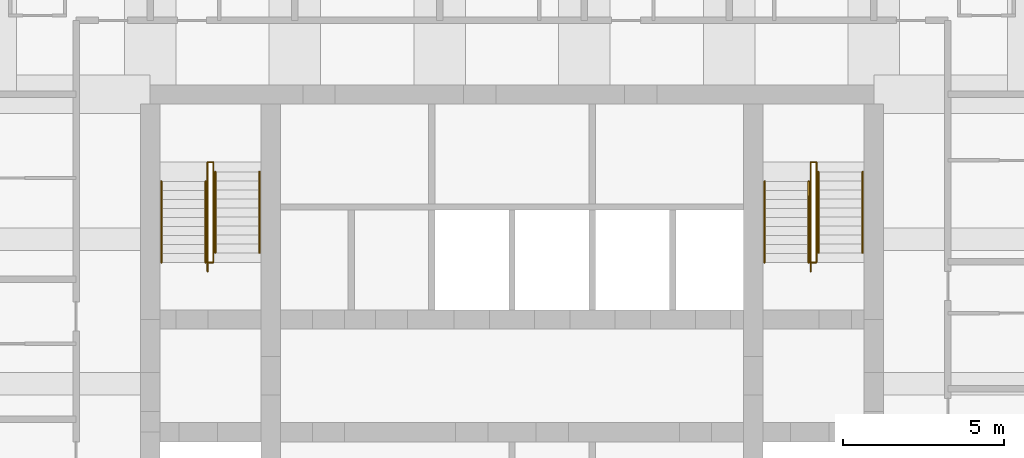
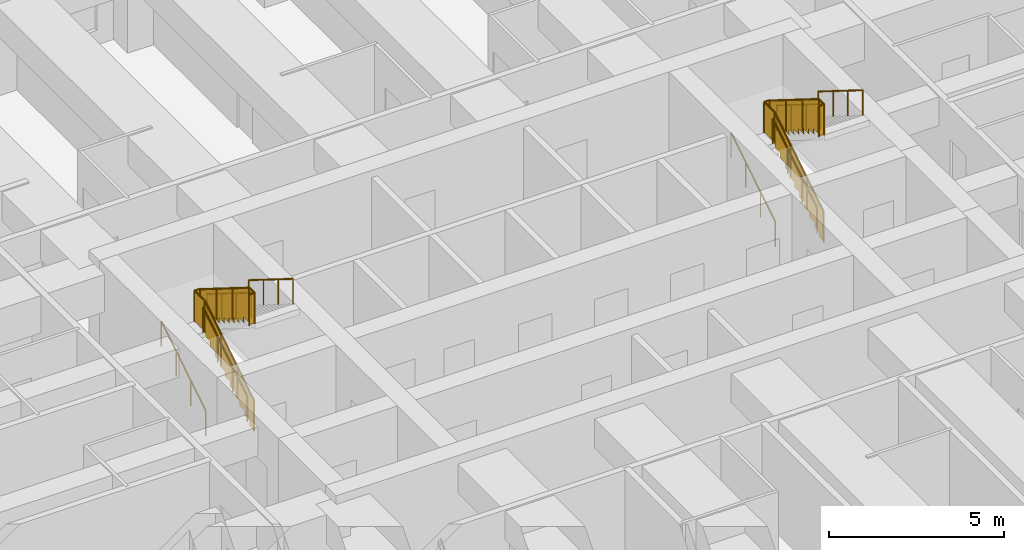
# One storey, part 8 of 8: 12 railings.
"""IFC4 building model written with IfcOpenShell, lengths in metres."""

from ifc_helpers import new_model, si_unit, direction, frame, origin, origin_2d, place, context, subcontext, project, spatial, polyline, circle, outline, extrude, material, type_object, element, save


model = new_model("IFC4")

# Units and contexts
model_context = context("Model", 3, precision=1e-05, world=origin(), true_north=direction((0.0, 1.0)))
body_context = subcontext(model_context, "Body", "Model", "MODEL_VIEW")
ifc_project = project(units=[si_unit("LENGTHUNIT", "METRE"), si_unit("AREAUNIT", "SQUARE_METRE"), si_unit("VOLUMEUNIT", "CUBIC_METRE"), si_unit("PLANEANGLEUNIT", "RADIAN"), si_unit("MASSUNIT", "GRAM", prefix="KILO")], contexts=[model_context])

# Site, building, storey
site_placement = place(None, origin())
site = spatial("IfcSite", under=ifc_project, at=site_placement, CompositionType="ELEMENT")
building_placement = place(site_placement, origin())
building = spatial("IfcBuilding", under=site, at=building_placement, Name="Kilele Tower Hotel", CompositionType="ELEMENT")
storey_placement = place(building_placement, frame((0.0, 0.0, 207.89990234375)))
storey = spatial("IfcBuildingStorey", under=building, at=storey_placement, Name="L54", CompositionType="ELEMENT", Elevation=207.89990234375)

# Railings
ifc_material_1 = material(Name="Steel handrail", Category="steel")
railing_type_1 = type_object("IfcRailingType", Name="Handrail 900", PredefinedType="HANDRAIL", material=ifc_material_1)
for number, where, name in (
    (1, (13.85009765625, 21.77490234375, 0.175048828125), "Handrail ST1 flight 1"),
    (2, (15.22509765625, 21.77490234375, 0.175048828125), "Handrail ST1 flight 1"),
):
    element("IfcRailing", number, at=place(storey_placement, frame(where)), inside=storey, type_object=railing_type_1, Name=name, PredefinedType="HANDRAIL", context=body_context, shape_type="SweptSolid", body=[
        extrude(circle(Radius=0.02490234375, at=origin_2d()), frame((0.0, 0.0, 0.875), z_axis=(0.0, 0.848007534815, 0.529984170421), x_axis=(-1.0, 0.0, 0.0)), (0.0, 0.0, 1.0), 2.9716796875),
        extrude(circle(Radius=0.02001953125, at=origin_2d()), origin(), (0.0, 0.0, 1.0), 0.849853515625),
        extrude(circle(Radius=0.02001953125, at=origin_2d()), frame((0.0, 0.840087890625, 0.52490234375)), (0.0, 0.0, 1.0), 0.849853515625),
        extrude(circle(Radius=0.02001953125, at=origin_2d()), frame((0.0, 1.679931640625, 1.050048828125)), (0.0, 0.0, 1.0), 0.849853515625),
        extrude(circle(Radius=0.02001953125, at=origin_2d()), frame((0.0, 2.52001953125, 1.574951171875)), (0.0, 0.0, 1.0), 0.849853515625),
    ])
for number, where, name in (
    (3, (15.52490234375, 24.594970703125, 1.925048828125), "Handrail ST1 flight 2"),
    (4, (16.89990234375, 24.594970703125, 1.925048828125), "Handrail ST1 flight 2"),
):
    element("IfcRailing", number, at=place(storey_placement, frame(where)), inside=storey, type_object=railing_type_1, Name=name, PredefinedType="HANDRAIL", context=body_context, shape_type="SweptSolid", body=[
        extrude(circle(Radius=0.02490234375, at=origin_2d()), frame((0.0, 0.0, 0.875), z_axis=(0.0, -0.848007534815, 0.529984170421), x_axis=(1.0, 0.0, 0.0)), (0.0, 0.0, 1.0), 2.9716796875),
        extrude(circle(Radius=0.02001953125, at=origin_2d()), origin(), (0.0, 0.0, 1.0), 0.849853515625),
        extrude(circle(Radius=0.02001953125, at=origin_2d()), frame((0.0, -0.840087890625, 0.52490234375)), (0.0, 0.0, 1.0), 0.849853515625),
        extrude(circle(Radius=0.02001953125, at=origin_2d()), frame((0.0, -1.679931640625, 1.050048828125)), (0.0, 0.0, 1.0), 0.849853515625),
        extrude(circle(Radius=0.02001953125, at=origin_2d()), frame((0.0, -2.52001953125, 1.574951171875)), (0.0, 0.0, 1.0), 0.849853515625),
    ])
for number, where, name in (
    (5, (32.60009765625, 21.77490234375, 0.175048828125), "Handrail ST2 flight 1"),
    (6, (33.97509765625, 21.77490234375, 0.175048828125), "Handrail ST2 flight 1"),
):
    element("IfcRailing", number, at=place(storey_placement, frame(where)), inside=storey, type_object=railing_type_1, Name=name, PredefinedType="HANDRAIL", context=body_context, shape_type="SweptSolid", body=[
        extrude(circle(Radius=0.02490234375, at=origin_2d()), frame((0.0, 0.0, 0.875), z_axis=(0.0, 0.848007534815, 0.529984170421), x_axis=(-1.0, 0.0, 0.0)), (0.0, 0.0, 1.0), 2.9716796875),
        extrude(circle(Radius=0.02001953125, at=origin_2d()), origin(), (0.0, 0.0, 1.0), 0.849853515625),
        extrude(circle(Radius=0.02001953125, at=origin_2d()), frame((0.0, 0.840087890625, 0.52490234375)), (0.0, 0.0, 1.0), 0.849853515625),
        extrude(circle(Radius=0.02001953125, at=origin_2d()), frame((0.0, 1.679931640625, 1.050048828125)), (0.0, 0.0, 1.0), 0.849853515625),
        extrude(circle(Radius=0.02001953125, at=origin_2d()), frame((0.0, 2.52001953125, 1.574951171875)), (0.0, 0.0, 1.0), 0.849853515625),
    ])
for number, where, name in (
    (7, (34.27490234375, 24.594970703125, 1.925048828125), "Handrail ST2 flight 2"),
    (8, (35.64990234375, 24.594970703125, 1.925048828125), "Handrail ST2 flight 2"),
):
    element("IfcRailing", number, at=place(storey_placement, frame(where)), inside=storey, type_object=railing_type_1, Name=name, PredefinedType="HANDRAIL", context=body_context, shape_type="SweptSolid", body=[
        extrude(circle(Radius=0.02490234375, at=origin_2d()), frame((0.0, 0.0, 0.875), z_axis=(0.0, -0.848007534815, 0.529984170421), x_axis=(1.0, 0.0, 0.0)), (0.0, 0.0, 1.0), 2.9716796875),
        extrude(circle(Radius=0.02001953125, at=origin_2d()), origin(), (0.0, 0.0, 1.0), 0.849853515625),
        extrude(circle(Radius=0.02001953125, at=origin_2d()), frame((0.0, -0.840087890625, 0.52490234375)), (0.0, 0.0, 1.0), 0.849853515625),
        extrude(circle(Radius=0.02001953125, at=origin_2d()), frame((0.0, -1.679931640625, 1.050048828125)), (0.0, 0.0, 1.0), 0.849853515625),
        extrude(circle(Radius=0.02001953125, at=origin_2d()), frame((0.0, -2.52001953125, 1.574951171875)), (0.0, 0.0, 1.0), 0.849853515625),
    ])
ifc_material_2 = material(Name="Steel guard", Category="steel")
railing_type_2 = type_object("IfcRailingType", Name="Stair guard 1100", PredefinedType="GUARDRAIL", material=ifc_material_2)
railing_1_placement = place(storey_placement, frame((15.284912109375, 21.4951171875, 0.0)))
element("IfcRailing", 9, at=railing_1_placement, inside=storey, type_object=railing_type_2, Name="Stair well guard ST1 flight 1", PredefinedType="GUARDRAIL", context=body_context, shape_type="SweptSolid", body=[
    extrude(circle(Radius=0.02490234375, at=origin_2d()), frame((0.0, 0.0, 1.0751953125), z_axis=(0.0, 0.847981687118, 0.530025526095), x_axis=(-1.0, 0.0, 0.0)), (0.0, 0.0, 1.0), 3.3017578125),
    extrude(circle(Radius=0.02490234375, at=origin_2d()), frame((0.0, 2.7998046875, 2.8251953125), z_axis=(0.0, 1.0, 0.0), x_axis=(-1.0, 0.0, 0.0)), (0.0, 0.0, 1.0), 0.60009765625),
    extrude(circle(Radius=0.02490234375, at=origin_2d()), frame((0.0, 3.39990234375, 2.8251953125), z_axis=(1.0, 0.0, 0.0), x_axis=(0.0, 1.0, 0.0)), (0.0, 0.0, 1.0), 0.18017578125),
    extrude(circle(Radius=0.02490234375, at=origin_2d()), origin(), (0.0, 0.0, 1.0), 1.050048828125),
    extrude(circle(Radius=0.02490234375, at=origin_2d()), frame((0.0, 0.933349609375, 0.583251953125)), (0.0, 0.0, 1.0), 1.050048828125),
    extrude(circle(Radius=0.02490234375, at=origin_2d()), frame((0.0, 1.866455078125, 1.166748046875)), (0.0, 0.0, 1.0), 1.050048828125),
    extrude(circle(Radius=0.02490234375, at=origin_2d()), frame((0.0, 2.7998046875, 1.75)), (0.0, 0.0, 1.0), 1.050048828125),
    extrude(circle(Radius=0.02490234375, at=origin_2d()), frame((0.0, 3.39990234375, 1.75)), (0.0, 0.0, 1.0), 1.050048828125),
    extrude(circle(Radius=0.02490234375, at=origin_2d()), frame((0.18017578125, 3.39990234375, 1.75)), (0.0, 0.0, 1.0), 1.050048828125),
    extrude(outline(polyline([(0.012451171875, 0.030029296875), (0.25, 0.030029296875), (0.25, 0.205078125), (0.530029296875, 0.205078125), (0.530029296875, 0.380126953125), (0.809814453125, 0.380126953125), (0.809814453125, 0.554931640625), (1.08984375, 0.554931640625), (1.08984375, 0.72998046875), (1.369873046875, 0.72998046875), (1.369873046875, 0.905029296875), (1.64990234375, 0.905029296875), (1.64990234375, 1.080078125), (1.929931640625, 1.080078125), (1.929931640625, 1.255126953125), (2.209716796875, 1.255126953125), (2.209716796875, 1.429931640625), (2.48974609375, 1.429931640625), (2.48974609375, 1.60498046875), (2.769775390625, 1.60498046875), (2.769775390625, 1.780029296875), (2.787353515625, 1.780029296875), (2.787353515625, 2.787841796875), (0.012451171875, 1.053466796875), (0.012451171875, 0.030029296875)])), frame((-0.005859375, 0.0, 0.0), z_axis=(1.0, 0.0, 0.0), x_axis=(0.0, 1.0, 0.0)), (0.0, 0.0, 1.0), 0.011962890625),
    extrude(outline(polyline([(0.012451171875, 0.030029296875), (0.587646484375, 0.030029296875), (0.587646484375, 1.050048828125), (0.012451171875, 1.050048828125), (0.012451171875, 0.030029296875)])), frame((-0.005859375, 2.7998046875, 1.75), z_axis=(1.0, 0.0, 0.0), x_axis=(0.0, 1.0, 0.0)), (0.0, 0.0, 1.0), 0.011962890625),
    extrude(outline(polyline([(0.012451171875, 0.030029296875), (0.18017578125, 0.030029296875), (0.18017578125, 1.050048828125), (0.012451171875, 1.050048828125), (0.012451171875, 0.030029296875)])), frame((0.0, 3.40576171875, 1.75), z_axis=(0.0, -1.0, 0.0), x_axis=(1.0, 0.0, 0.0)), (0.0, 0.0, 1.0), 0.011962890625),
])
railing_2_placement = place(storey_placement, frame((15.465087890625, 24.89501953125, 1.75)))
element("IfcRailing", 10, at=railing_2_placement, inside=storey, type_object=railing_type_2, Name="Stair well guard ST1 flight 2", PredefinedType="GUARDRAIL", context=body_context, shape_type="SweptSolid", body=[
    extrude(circle(Radius=0.02490234375, at=origin_2d()), frame((0.0, 0.0, 1.0751953125), z_axis=(0.0, -1.0, 0.0), x_axis=(1.0, 0.0, 0.0)), (0.0, 0.0, 1.0), 0.02001953125),
    extrude(circle(Radius=0.02490234375, at=origin_2d()), frame((0.0, -0.02001953125, 1.0751953125), z_axis=(0.0, -0.848002457836, 0.529992293815), x_axis=(1.0, 0.0, 0.0)), (0.0, 0.0, 1.0), 3.302001953125),
    extrude(circle(Radius=0.02490234375, at=origin_2d()), frame((0.0, -2.820068359375, 2.8251953125), z_axis=(0.0, -1.0, 0.0), x_axis=(1.0, 0.0, 0.0)), (0.0, 0.0, 1.0), 0.300048828125),
    extrude(circle(Radius=0.02490234375, at=origin_2d()), frame((0.0, -3.1201171875, 2.8251953125), z_axis=(-1.0, 0.0, 0.0), x_axis=(0.0, -1.0, 0.0)), (0.0, 0.0, 1.0), 0.18017578125),
    extrude(circle(Radius=0.02490234375, at=origin_2d()), origin(), (0.0, 0.0, 1.0), 1.050048828125),
    extrude(circle(Radius=0.02490234375, at=origin_2d()), frame((0.0, -0.02001953125, 0.0)), (0.0, 0.0, 1.0), 1.050048828125),
    extrude(circle(Radius=0.02490234375, at=origin_2d()), frame((0.0, -0.953369140625, 0.583251953125)), (0.0, 0.0, 1.0), 1.050048828125),
    extrude(circle(Radius=0.02490234375, at=origin_2d()), frame((0.0, -1.88671875, 1.166748046875)), (0.0, 0.0, 1.0), 1.050048828125),
    extrude(circle(Radius=0.02490234375, at=origin_2d()), frame((0.0, -2.820068359375, 1.75)), (0.0, 0.0, 1.0), 1.050048828125),
    extrude(circle(Radius=0.02490234375, at=origin_2d()), frame((0.0, -3.1201171875, 1.75)), (0.0, 0.0, 1.0), 1.050048828125),
    extrude(circle(Radius=0.02490234375, at=origin_2d()), frame((-0.18017578125, -3.1201171875, 1.75)), (0.0, 0.0, 1.0), 1.050048828125),
    extrude(outline(polyline([(0.012451171875, 0.030029296875), (0.25, 0.030029296875), (0.25, 0.205078125), (0.530029296875, 0.205078125), (0.530029296875, 0.380126953125), (0.81005859375, 0.380126953125), (0.81005859375, 0.554931640625), (1.090087890625, 0.554931640625), (1.090087890625, 0.72998046875), (1.3701171875, 0.72998046875), (1.3701171875, 0.905029296875), (1.64990234375, 0.905029296875), (1.64990234375, 1.080078125), (1.929931640625, 1.080078125), (1.929931640625, 1.255126953125), (2.2099609375, 1.255126953125), (2.2099609375, 1.429931640625), (2.489990234375, 1.429931640625), (2.489990234375, 1.60498046875), (2.77001953125, 1.60498046875), (2.77001953125, 1.780029296875), (2.78759765625, 1.780029296875), (2.78759765625, 2.787841796875), (0.012451171875, 1.053466796875), (0.012451171875, 0.030029296875)])), frame((0.005859375, -0.02001953125, 0.0), z_axis=(-1.0, 0.0, 0.0), x_axis=(0.0, -1.0, 0.0)), (0.0, 0.0, 1.0), 0.011962890625),
    extrude(outline(polyline([(0.012451171875, 0.030029296875), (0.28759765625, 0.030029296875), (0.28759765625, 1.050048828125), (0.012451171875, 1.050048828125), (0.012451171875, 0.030029296875)])), frame((0.005859375, -2.820068359375, 1.75), z_axis=(-1.0, 0.0, 0.0), x_axis=(0.0, -1.0, 0.0)), (0.0, 0.0, 1.0), 0.011962890625),
    extrude(outline(polyline([(0.012451171875, 0.030029296875), (0.18017578125, 0.030029296875), (0.18017578125, 1.050048828125), (0.012451171875, 1.050048828125), (0.012451171875, 0.030029296875)])), frame((0.0, -3.1259765625, 1.75), z_axis=(0.0, 1.0, 0.0), x_axis=(-1.0, 0.0, 0.0)), (0.0, 0.0, 1.0), 0.011962890625),
])
railing_3_placement = place(storey_placement, frame((34.034912109375, 21.4951171875, 0.0)))
element("IfcRailing", 11, at=railing_3_placement, inside=storey, type_object=railing_type_2, Name="Stair well guard ST2 flight 1", PredefinedType="GUARDRAIL", context=body_context, shape_type="SweptSolid", body=[
    extrude(circle(Radius=0.02490234375, at=origin_2d()), frame((0.0, 0.0, 1.0751953125), z_axis=(0.0, 0.847981687118, 0.530025526095), x_axis=(-1.0, 0.0, 0.0)), (0.0, 0.0, 1.0), 3.3017578125),
    extrude(circle(Radius=0.02490234375, at=origin_2d()), frame((0.0, 2.7998046875, 2.8251953125), z_axis=(0.0, 1.0, 0.0), x_axis=(-1.0, 0.0, 0.0)), (0.0, 0.0, 1.0), 0.60009765625),
    extrude(circle(Radius=0.02490234375, at=origin_2d()), frame((0.0, 3.39990234375, 2.8251953125), z_axis=(1.0, 0.0, 0.0), x_axis=(0.0, 1.0, 0.0)), (0.0, 0.0, 1.0), 0.18017578125),
    extrude(circle(Radius=0.02490234375, at=origin_2d()), origin(), (0.0, 0.0, 1.0), 1.050048828125),
    extrude(circle(Radius=0.02490234375, at=origin_2d()), frame((0.0, 0.933349609375, 0.583251953125)), (0.0, 0.0, 1.0), 1.050048828125),
    extrude(circle(Radius=0.02490234375, at=origin_2d()), frame((0.0, 1.866455078125, 1.166748046875)), (0.0, 0.0, 1.0), 1.050048828125),
    extrude(circle(Radius=0.02490234375, at=origin_2d()), frame((0.0, 2.7998046875, 1.75)), (0.0, 0.0, 1.0), 1.050048828125),
    extrude(circle(Radius=0.02490234375, at=origin_2d()), frame((0.0, 3.39990234375, 1.75)), (0.0, 0.0, 1.0), 1.050048828125),
    extrude(circle(Radius=0.02490234375, at=origin_2d()), frame((0.18017578125, 3.39990234375, 1.75)), (0.0, 0.0, 1.0), 1.050048828125),
    extrude(outline(polyline([(0.012451171875, 0.030029296875), (0.25, 0.030029296875), (0.25, 0.205078125), (0.530029296875, 0.205078125), (0.530029296875, 0.380126953125), (0.809814453125, 0.380126953125), (0.809814453125, 0.554931640625), (1.08984375, 0.554931640625), (1.08984375, 0.72998046875), (1.369873046875, 0.72998046875), (1.369873046875, 0.905029296875), (1.64990234375, 0.905029296875), (1.64990234375, 1.080078125), (1.929931640625, 1.080078125), (1.929931640625, 1.255126953125), (2.209716796875, 1.255126953125), (2.209716796875, 1.429931640625), (2.48974609375, 1.429931640625), (2.48974609375, 1.60498046875), (2.769775390625, 1.60498046875), (2.769775390625, 1.780029296875), (2.787353515625, 1.780029296875), (2.787353515625, 2.787841796875), (0.012451171875, 1.053466796875), (0.012451171875, 0.030029296875)])), frame((-0.005859375, 0.0, 0.0), z_axis=(1.0, 0.0, 0.0), x_axis=(0.0, 1.0, 0.0)), (0.0, 0.0, 1.0), 0.011962890625),
    extrude(outline(polyline([(0.012451171875, 0.030029296875), (0.587646484375, 0.030029296875), (0.587646484375, 1.050048828125), (0.012451171875, 1.050048828125), (0.012451171875, 0.030029296875)])), frame((-0.005859375, 2.7998046875, 1.75), z_axis=(1.0, 0.0, 0.0), x_axis=(0.0, 1.0, 0.0)), (0.0, 0.0, 1.0), 0.011962890625),
    extrude(outline(polyline([(0.012451171875, 0.030029296875), (0.18017578125, 0.030029296875), (0.18017578125, 1.050048828125), (0.012451171875, 1.050048828125), (0.012451171875, 0.030029296875)])), frame((0.0, 3.40576171875, 1.75), z_axis=(0.0, -1.0, 0.0), x_axis=(1.0, 0.0, 0.0)), (0.0, 0.0, 1.0), 0.011962890625),
])
railing_4_placement = place(storey_placement, frame((34.215087890625, 24.89501953125, 1.75)))
element("IfcRailing", 12, at=railing_4_placement, inside=storey, type_object=railing_type_2, Name="Stair well guard ST2 flight 2", PredefinedType="GUARDRAIL", context=body_context, shape_type="SweptSolid", body=[
    extrude(circle(Radius=0.02490234375, at=origin_2d()), frame((0.0, 0.0, 1.0751953125), z_axis=(0.0, -1.0, 0.0), x_axis=(1.0, 0.0, 0.0)), (0.0, 0.0, 1.0), 0.02001953125),
    extrude(circle(Radius=0.02490234375, at=origin_2d()), frame((0.0, -0.02001953125, 1.0751953125), z_axis=(0.0, -0.848002457836, 0.529992293815), x_axis=(1.0, 0.0, 0.0)), (0.0, 0.0, 1.0), 3.302001953125),
    extrude(circle(Radius=0.02490234375, at=origin_2d()), frame((0.0, -2.820068359375, 2.8251953125), z_axis=(0.0, -1.0, 0.0), x_axis=(1.0, 0.0, 0.0)), (0.0, 0.0, 1.0), 0.300048828125),
    extrude(circle(Radius=0.02490234375, at=origin_2d()), frame((0.0, -3.1201171875, 2.8251953125), z_axis=(-1.0, 0.0, 0.0), x_axis=(0.0, -1.0, 0.0)), (0.0, 0.0, 1.0), 0.18017578125),
    extrude(circle(Radius=0.02490234375, at=origin_2d()), origin(), (0.0, 0.0, 1.0), 1.050048828125),
    extrude(circle(Radius=0.02490234375, at=origin_2d()), frame((0.0, -0.02001953125, 0.0)), (0.0, 0.0, 1.0), 1.050048828125),
    extrude(circle(Radius=0.02490234375, at=origin_2d()), frame((0.0, -0.953369140625, 0.583251953125)), (0.0, 0.0, 1.0), 1.050048828125),
    extrude(circle(Radius=0.02490234375, at=origin_2d()), frame((0.0, -1.88671875, 1.166748046875)), (0.0, 0.0, 1.0), 1.050048828125),
    extrude(circle(Radius=0.02490234375, at=origin_2d()), frame((0.0, -2.820068359375, 1.75)), (0.0, 0.0, 1.0), 1.050048828125),
    extrude(circle(Radius=0.02490234375, at=origin_2d()), frame((0.0, -3.1201171875, 1.75)), (0.0, 0.0, 1.0), 1.050048828125),
    extrude(circle(Radius=0.02490234375, at=origin_2d()), frame((-0.18017578125, -3.1201171875, 1.75)), (0.0, 0.0, 1.0), 1.050048828125),
    extrude(outline(polyline([(0.012451171875, 0.030029296875), (0.25, 0.030029296875), (0.25, 0.205078125), (0.530029296875, 0.205078125), (0.530029296875, 0.380126953125), (0.81005859375, 0.380126953125), (0.81005859375, 0.554931640625), (1.090087890625, 0.554931640625), (1.090087890625, 0.72998046875), (1.3701171875, 0.72998046875), (1.3701171875, 0.905029296875), (1.64990234375, 0.905029296875), (1.64990234375, 1.080078125), (1.929931640625, 1.080078125), (1.929931640625, 1.255126953125), (2.2099609375, 1.255126953125), (2.2099609375, 1.429931640625), (2.489990234375, 1.429931640625), (2.489990234375, 1.60498046875), (2.77001953125, 1.60498046875), (2.77001953125, 1.780029296875), (2.78759765625, 1.780029296875), (2.78759765625, 2.787841796875), (0.012451171875, 1.053466796875), (0.012451171875, 0.030029296875)])), frame((0.005859375, -0.02001953125, 0.0), z_axis=(-1.0, 0.0, 0.0), x_axis=(0.0, -1.0, 0.0)), (0.0, 0.0, 1.0), 0.011962890625),
    extrude(outline(polyline([(0.012451171875, 0.030029296875), (0.28759765625, 0.030029296875), (0.28759765625, 1.050048828125), (0.012451171875, 1.050048828125), (0.012451171875, 0.030029296875)])), frame((0.005859375, -2.820068359375, 1.75), z_axis=(-1.0, 0.0, 0.0), x_axis=(0.0, -1.0, 0.0)), (0.0, 0.0, 1.0), 0.011962890625),
    extrude(outline(polyline([(0.012451171875, 0.030029296875), (0.18017578125, 0.030029296875), (0.18017578125, 1.050048828125), (0.012451171875, 1.050048828125), (0.012451171875, 0.030029296875)])), frame((0.0, -3.1259765625, 1.75), z_axis=(0.0, 1.0, 0.0), x_axis=(-1.0, 0.0, 0.0)), (0.0, 0.0, 1.0), 0.011962890625),
])

save(model, "model.ifc")
